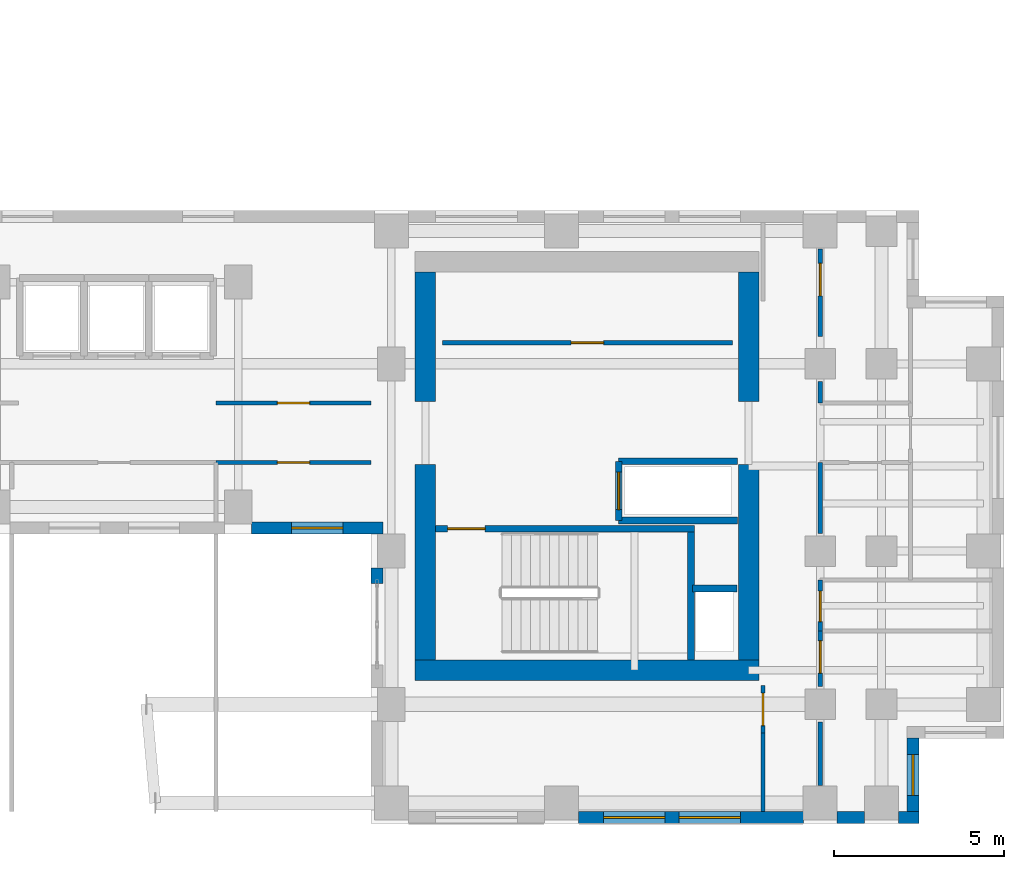
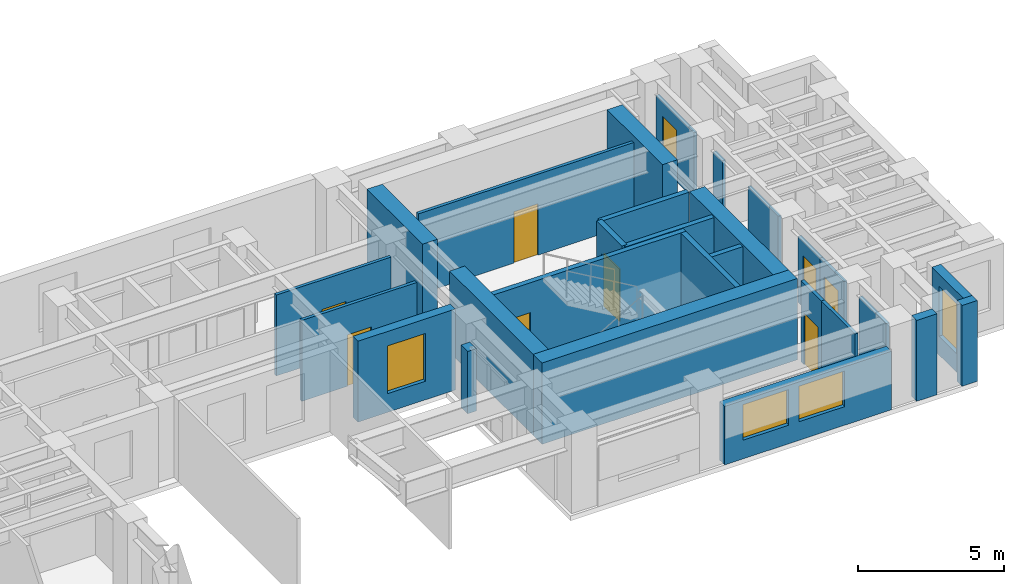
# One storey, part 9 of 13: 28 walls, 9 doors, 4 windows, 13 openings.
"""IFC4 building model written with IfcOpenShell, lengths in metres."""

from ifc_helpers import new_model, si_unit, direction, frame, frame_2d, origin, place, context, subcontext, project, spatial, rectangle, extrude, source, transform, mapped, material, layer, layer_set, type_object, element, fill, save


model = new_model("IFC4")

# Units and contexts
model_context = context("Model", 3, precision=1e-05, world=origin(), true_north=direction((0.0, 1.0)))
body_context = subcontext(model_context, "Body", "Model", "MODEL_VIEW")
ifc_project = project(units=[si_unit("LENGTHUNIT", "METRE"), si_unit("AREAUNIT", "SQUARE_METRE"), si_unit("VOLUMEUNIT", "CUBIC_METRE"), si_unit("PLANEANGLEUNIT", "RADIAN"), si_unit("MASSUNIT", "GRAM", prefix="KILO")], contexts=[model_context])

# Site, building, storey
site_placement = place(None, origin())
site = spatial("IfcSite", under=ifc_project, at=site_placement, CompositionType="ELEMENT")
building_placement = place(site_placement, origin())
building = spatial("IfcBuilding", under=site, at=building_placement, Name="Kharzan Plaza Tower", CompositionType="ELEMENT")
storey_placement = place(building_placement, frame((0.0, 0.0, 189.89990234375)))
storey = spatial("IfcBuildingStorey", under=building, at=storey_placement, Name="L51", CompositionType="ELEMENT", Elevation=189.89990234375)

# Wall, opening, window
ifc_material_1 = material(Name="Concrete C40/50", Category="concrete")
ifc_layer_1 = layer(ifc_material_1, 0.35009765625)
ifc_layer_set_1 = layer_set([ifc_layer_1], Name="Concrete C40/50")
wall_type_1 = type_object("IfcWallType", Name="WL-EXT-MAS-Z3", PredefinedType="SOLIDWALL", material=ifc_layer_set_1)
wall_1_placement = place(storey_placement, frame((30.89794921875, 8.675048828125, 0.0), z_axis=(0.0, 0.0, 1.0), x_axis=(1.0, 0.0, 0.0)))
wall_1 = element("IfcWall", 1, at=wall_1_placement, inside=storey, type_object=wall_type_1, Name="L51 Masonry-Frame Exterior Wall 28", PredefinedType="SOLIDWALL", context=body_context, shape_type="SweptSolid", body=[
    extrude(rectangle(XDim=3.85205078125, YDim=0.35009765625, at=frame_2d((1.926025390625, 0.0))), origin(), (0.0, 0.0, 1.0), 3.385009765625),
])
opening_1_placement = place(wall_1_placement, frame((1.176025390625, 0.0, 0.780029296875)))
opening_1 = element("IfcOpeningElement", 2, at=opening_1_placement, cuts=wall_1, Name="Opening W5", PredefinedType="OPENING", context=body_context, shape_type="SweptSolid", body=[
    extrude(rectangle(XDim=1.5, YDim=2.0, at=frame_2d((0.75, 1.0))), frame((0.0, 0.18505859375, 0.0), z_axis=(0.0, -1.0, 0.0), x_axis=(1.0, 0.0, 0.0)), (0.0, 0.0, 1.0), 0.3701171875),
])
ifc_material_2 = material(Name="Low-E Double Glazing", Category="glass")
window_type_1 = type_object("IfcWindowType", Name="WN-SLT-1500x2000", PartitioningType="SINGLE_PANEL", PredefinedType="WINDOW", material=ifc_material_2)
shared_shape_1 = source(origin(), body_context, "Body", "SweptSolid", [
    extrude(rectangle(XDim=1.5, YDim=2.0, at=frame_2d((0.75, 1.0))), frame((0.0, 0.030029296875, 0.0), z_axis=(0.0, -1.0, 0.0), x_axis=(1.0, 0.0, 0.0)), (0.0, 0.0, 1.0), 0.06005859375),
])
window_1_placement = place(opening_1_placement, origin())
window_1 = element("IfcWindow", 3, at=window_1_placement, inside=storey, type_object=window_type_1, Name="L51 Recessed Solar-Control Window 28-1", OverallHeight=2.0, OverallWidth=1.5, PartitioningType="SINGLE_PANEL", PredefinedType="WINDOW", context=body_context, shape_type="MappedRepresentation", body=[
    mapped(shared_shape_1, transform((0.0, 0.0, 0.0), x_axis=(1.0, 0.0, 0.0), y_axis=(0.0, 1.0, 0.0), z_axis=(0.0, 0.0, 1.0))),
])
fill(opening_1, window_1)

# Wall, openings, windows
wall_2_placement = place(storey_placement, frame((40.498046875, 0.175048828125, 0.0), z_axis=(0.0, 0.0, 1.0), x_axis=(1.0, 0.0, 0.0)))
wall_2 = element("IfcWall", 4, at=wall_2_placement, inside=storey, type_object=wall_type_1, Name="L51 Masonry-Frame Exterior Wall 33", PredefinedType="SOLIDWALL", context=body_context, shape_type="SweptSolid", body=[
    extrude(rectangle(XDim=6.60400390625, YDim=0.35009765625, at=frame_2d((3.302001953125, 0.0))), origin(), (0.0, 0.0, 1.0), 2.447998046875),
])
opening_2_placement = place(wall_2_placement, frame((0.7373046875, 0.0, 0.780029296875)))
opening_2 = element("IfcOpeningElement", 5, at=opening_2_placement, cuts=wall_2, Name="Opening W1", PredefinedType="OPENING", context=body_context, shape_type="SweptSolid", body=[
    extrude(rectangle(XDim=1.800048828125, YDim=1.488037109375, at=frame_2d((0.89990234375, 0.744140625))), frame((0.0, 0.18505859375, 0.0), z_axis=(0.0, -1.0, 0.0), x_axis=(1.0, 0.0, 0.0)), (0.0, 0.0, 1.0), 0.3701171875),
])
opening_3_placement = place(wall_2_placement, frame((2.95458984375, 0.0, 0.780029296875)))
opening_3 = element("IfcOpeningElement", 6, at=opening_3_placement, cuts=wall_2, Name="Opening W1", PredefinedType="OPENING", context=body_context, shape_type="SweptSolid", body=[
    extrude(rectangle(XDim=1.800048828125, YDim=1.488037109375, at=frame_2d((0.89990234375, 0.744140625))), frame((0.0, 0.18505859375, 0.0), z_axis=(0.0, -1.0, 0.0), x_axis=(1.0, 0.0, 0.0)), (0.0, 0.0, 1.0), 0.3701171875),
])
window_type_2 = type_object("IfcWindowType", Name="WN-REC-1800x2100", PartitioningType="SINGLE_PANEL", PredefinedType="WINDOW", material=ifc_material_2)
shared_shape_2 = source(origin(), body_context, "Body", "SweptSolid", [
    extrude(rectangle(XDim=1.800048828125, YDim=1.488037109375, at=frame_2d((0.89990234375, 0.744140625))), frame((0.0, 0.030029296875, 0.0), z_axis=(0.0, -1.0, 0.0), x_axis=(1.0, 0.0, 0.0)), (0.0, 0.0, 1.0), 0.06005859375),
])
window_2_placement = place(opening_2_placement, origin())
window_2 = element("IfcWindow", 7, at=window_2_placement, inside=storey, type_object=window_type_2, Name="L51 Recessed Solar-Control Window 33-1", OverallHeight=1.488037109375, OverallWidth=1.800048828125, PartitioningType="SINGLE_PANEL", PredefinedType="WINDOW", context=body_context, shape_type="MappedRepresentation", body=[
    mapped(shared_shape_2, transform((0.0, 0.0, 0.0), x_axis=(1.0, 0.0, 0.0), y_axis=(0.0, 1.0, 0.0), z_axis=(0.0, 0.0, 1.0))),
])
fill(opening_2, window_2)
window_3_placement = place(opening_3_placement, origin())
window_3 = element("IfcWindow", 8, at=window_3_placement, inside=storey, type_object=window_type_2, Name="L51 Recessed Solar-Control Window 33-2", OverallHeight=1.488037109375, OverallWidth=1.800048828125, PartitioningType="SINGLE_PANEL", PredefinedType="WINDOW", context=body_context, shape_type="MappedRepresentation", body=[
    mapped(shared_shape_2, transform((0.0, 0.0, 0.0), x_axis=(1.0, 0.0, 0.0), y_axis=(0.0, 1.0, 0.0), z_axis=(0.0, 0.0, 1.0))),
])
fill(opening_3, window_3)

# Wall, opening, window
wall_3_placement = place(storey_placement, frame((50.324951171875, 0.347900390625, 0.0), z_axis=(0.0, 0.0, 1.0), x_axis=(0.0, 1.0, 0.0)))
wall_3 = element("IfcWall", 9, at=wall_3_placement, inside=storey, type_object=wall_type_1, Name="L51 Masonry-Frame Exterior Wall 36", PredefinedType="SOLIDWALL", context=body_context, shape_type="SweptSolid", body=[
    extrude(rectangle(XDim=2.154052734375, YDim=0.35009765625, at=frame_2d((1.0771484375, 0.0))), origin(), (0.0, 0.0, 1.0), 3.385009765625),
])
opening_4_placement = place(wall_3_placement, frame((0.47705078125, 0.0, 0.780029296875)))
opening_4 = element("IfcOpeningElement", 10, at=opening_4_placement, cuts=wall_3, Name="Opening W3", PredefinedType="OPENING", context=body_context, shape_type="SweptSolid", body=[
    extrude(rectangle(XDim=1.199951171875, YDim=2.10009765625, at=frame_2d((0.60009765625, 1.050048828125))), frame((0.0, 0.18505859375, 0.0), z_axis=(0.0, -1.0, 0.0), x_axis=(1.0, 0.0, 0.0)), (0.0, 0.0, 1.0), 0.3701171875),
])
window_type_3 = type_object("IfcWindowType", Name="WN-REC-1200x2100", PartitioningType="SINGLE_PANEL", PredefinedType="WINDOW", material=ifc_material_2)
shared_shape_3 = source(origin(), body_context, "Body", "SweptSolid", [
    extrude(rectangle(XDim=1.199951171875, YDim=2.10009765625, at=frame_2d((0.60009765625, 1.050048828125))), frame((0.0, 0.030029296875, 0.0), z_axis=(0.0, -1.0, 0.0), x_axis=(1.0, 0.0, 0.0)), (0.0, 0.0, 1.0), 0.06005859375),
])
window_4_placement = place(opening_4_placement, origin())
window_4 = element("IfcWindow", 11, at=window_4_placement, inside=storey, type_object=window_type_3, Name="L51 Recessed Solar-Control Window 36-1", OverallHeight=2.10009765625, OverallWidth=1.199951171875, PartitioningType="SINGLE_PANEL", PredefinedType="WINDOW", context=body_context, shape_type="MappedRepresentation", body=[
    mapped(shared_shape_3, transform((0.0, 0.0, 0.0), x_axis=(1.0, 0.0, 0.0), y_axis=(0.0, 1.0, 0.0), z_axis=(0.0, 0.0, 1.0))),
])
fill(opening_4, window_4)

# Wall, opening, door
ifc_material_3 = material(Name="Fire-Rated Gypsum Board Partition", Category="gypsum")
ifc_layer_2 = layer(ifc_material_3, 0.125)
ifc_layer_set_2 = layer_set([ifc_layer_2], Name="Fire-Rated Gypsum Board Partition")
wall_type_2 = type_object("IfcWallType", Name="WL-INT-PART-125", PredefinedType="PARTITIONING", material=ifc_layer_set_2)
wall_4_placement = place(storey_placement, frame((36.5, 14.1201171875, 0.0), z_axis=(0.0, 0.0, 1.0), x_axis=(1.0, 0.0, 0.0)))
wall_4 = element("IfcWall", 12, at=wall_4_placement, inside=storey, type_object=wall_type_2, Name="L51 Interior Partition CB-RBLS1", PredefinedType="PARTITIONING", context=body_context, shape_type="SweptSolid", body=[
    extrude(rectangle(XDim=8.52001953125, YDim=0.125, at=frame_2d((4.260009765625, 0.0))), origin(), (0.0, 0.0, 1.0), 3.385009765625),
])
opening_5_placement = place(wall_4_placement, frame((3.784912109375, 0.0, 0.0)))
opening_5 = element("IfcOpeningElement", 13, at=opening_5_placement, cuts=wall_4, Name="Opening OD1", PredefinedType="OPENING", context=body_context, shape_type="SweptSolid", body=[
    extrude(rectangle(XDim=0.949951171875, YDim=2.14990234375, at=frame_2d((0.47509765625, 1.074951171875))), frame((0.0, 0.072509765625, 0.0), z_axis=(0.0, -1.0, 0.0), x_axis=(1.0, 0.0, 0.0)), (0.0, 0.0, 1.0), 0.14501953125),
])
ifc_material_4 = material(Name="Acoustic Solid-Core Stained Oak", Category="timber")
door_type_1 = type_object("IfcDoorType", Name="DR-OFF-SINGLE", OperationType="NOTDEFINED", PredefinedType="DOOR", material=ifc_material_4)
shared_shape_4 = source(origin(), body_context, "Body", "SweptSolid", [
    extrude(rectangle(XDim=0.949951171875, YDim=2.14990234375, at=frame_2d((0.47509765625, 1.074951171875))), frame((0.0, 0.02490234375, 0.0), z_axis=(0.0, -1.0, 0.0), x_axis=(1.0, 0.0, 0.0)), (0.0, 0.0, 1.0), 0.050048828125),
])
door_1_placement = place(opening_5_placement, origin())
door_1 = element("IfcDoor", 14, at=door_1_placement, inside=storey, type_object=door_type_1, Name="L51 Mail Room Door", OperationType="SINGLE_SWING_RIGHT", OverallHeight=2.14990234375, OverallWidth=0.949951171875, PredefinedType="DOOR", context=body_context, shape_type="MappedRepresentation", body=[
    mapped(shared_shape_4, transform((0.0, 0.0, 0.0), x_axis=(1.0, 0.0, 0.0), y_axis=(0.0, 1.0, 0.0), z_axis=(0.0, 0.0, 1.0))),
])
fill(opening_5, door_1)

wall_5_placement = place(storey_placement, frame((47.60009765625, 4.02001953125, 0.0), z_axis=(0.0, 0.0, 1.0), x_axis=(0.0, 1.0, 0.0)))
wall_5 = element("IfcWall", 15, at=wall_5_placement, inside=storey, type_object=wall_type_2, Name="L51 Interior Partition SH-B2W0", PredefinedType="PARTITIONING", context=body_context, shape_type="SweptSolid", body=[
    extrude(rectangle(XDim=1.6298828125, YDim=0.125, at=frame_2d((0.81494140625, 0.0))), origin(), (0.0, 0.0, 1.0), 2.773193359375),
])
opening_6_placement = place(wall_5_placement, frame((0.393310546875, 0.0, 0.0)))
opening_6 = element("IfcOpeningElement", 16, at=opening_6_placement, cuts=wall_5, Name="Opening OD1", PredefinedType="OPENING", context=body_context, shape_type="SweptSolid", body=[
    extrude(rectangle(XDim=0.949951171875, YDim=2.14990234375, at=frame_2d((0.47509765625, 1.074951171875))), frame((0.0, 0.072509765625, 0.0), z_axis=(0.0, -1.0, 0.0), x_axis=(1.0, 0.0, 0.0)), (0.0, 0.0, 1.0), 0.14501953125),
])
door_2_placement = place(opening_6_placement, origin())
door_2 = element("IfcDoor", 17, at=door_2_placement, inside=storey, type_object=door_type_1, Name="L51 Wing B South Office Door", OperationType="SINGLE_SWING_RIGHT", OverallHeight=2.14990234375, OverallWidth=0.949951171875, PredefinedType="DOOR", context=body_context, shape_type="MappedRepresentation", body=[
    mapped(shared_shape_4, transform((0.0, 0.0, 0.0), x_axis=(1.0, 0.0, 0.0), y_axis=(0.0, 1.0, 0.0), z_axis=(0.0, 0.0, 1.0))),
])
fill(opening_6, door_2)

wall_6_placement = place(storey_placement, frame((47.60009765625, 14.300048828125, 0.0), z_axis=(0.0, 0.0, 1.0), x_axis=(0.0, 1.0, 0.0)))
wall_6 = element("IfcWall", 18, at=wall_6_placement, inside=storey, type_object=wall_type_2, Name="L51 Interior Partition SH-B2W3D", PredefinedType="PARTITIONING", context=body_context, shape_type="SweptSolid", body=[
    extrude(rectangle(XDim=2.579833984375, YDim=0.125, at=frame_2d((1.2900390625, 0.0))), origin(), (0.0, 0.0, 1.0), 2.773193359375),
])
opening_7_placement = place(wall_6_placement, frame((1.199951171875, 0.0, 0.0)))
opening_7 = element("IfcOpeningElement", 19, at=opening_7_placement, cuts=wall_6, Name="Opening OD1", PredefinedType="OPENING", context=body_context, shape_type="SweptSolid", body=[
    extrude(rectangle(XDim=0.949951171875, YDim=2.14990234375, at=frame_2d((0.47509765625, 1.074951171875))), frame((0.0, 0.072509765625, 0.0), z_axis=(0.0, -1.0, 0.0), x_axis=(1.0, 0.0, 0.0)), (0.0, 0.0, 1.0), 0.14501953125),
])
door_3_placement = place(opening_7_placement, origin())
door_3 = element("IfcDoor", 20, at=door_3_placement, inside=storey, type_object=door_type_1, Name="L51 Spur North Office Door", OperationType="SINGLE_SWING_LEFT", OverallHeight=2.14990234375, OverallWidth=0.949951171875, PredefinedType="DOOR", context=body_context, shape_type="MappedRepresentation", body=[
    mapped(shared_shape_4, transform((0.0, 0.0, 0.0), x_axis=(1.0, 0.0, 0.0), y_axis=(0.0, 1.0, 0.0), z_axis=(0.0, 0.0, 1.0))),
])
fill(opening_7, door_3)

wall_7_placement = place(storey_placement, frame((47.60009765625, 5.64990234375, 0.0), z_axis=(0.0, 0.0, 1.0), x_axis=(0.0, 1.0, 0.0)))
wall_7 = element("IfcWall", 21, at=wall_7_placement, inside=storey, type_object=wall_type_2, Name="L51 Interior Partition SH-B2WC", PredefinedType="PARTITIONING", context=body_context, shape_type="SweptSolid", body=[
    extrude(rectangle(XDim=1.5, YDim=0.125, at=frame_2d((0.75, 0.0))), origin(), (0.0, 0.0, 1.0), 2.773193359375),
])
opening_8_placement = place(wall_7_placement, frame((0.27490234375, 0.0, 0.0)))
opening_8 = element("IfcOpeningElement", 22, at=opening_8_placement, cuts=wall_7, Name="Opening WD1", PredefinedType="OPENING", context=body_context, shape_type="SweptSolid", body=[
    extrude(rectangle(XDim=0.89990234375, YDim=2.14990234375, at=frame_2d((0.449951171875, 1.074951171875))), frame((0.0, 0.072509765625, 0.0), z_axis=(0.0, -1.0, 0.0), x_axis=(1.0, 0.0, 0.0)), (0.0, 0.0, 1.0), 0.14501953125),
])
ifc_material_5 = material(Name="Moisture-Resistant Fire-Rated Laminate", Category="timber")
door_type_2 = type_object("IfcDoorType", Name="DR-WC-900", OperationType="NOTDEFINED", PredefinedType="DOOR", material=ifc_material_5)
shared_shape_5 = source(origin(), body_context, "Body", "SweptSolid", [
    extrude(rectangle(XDim=0.89990234375, YDim=2.14990234375, at=frame_2d((0.449951171875, 1.074951171875))), frame((0.0, 0.02490234375, 0.0), z_axis=(0.0, -1.0, 0.0), x_axis=(1.0, 0.0, 0.0)), (0.0, 0.0, 1.0), 0.050048828125),
])
door_4_placement = place(opening_8_placement, origin())
door_4 = element("IfcDoor", 23, at=door_4_placement, inside=storey, type_object=door_type_2, Name="L51 Wing B Washroom Door", OperationType="SINGLE_SWING_LEFT", OverallHeight=2.14990234375, OverallWidth=0.89990234375, PredefinedType="DOOR", context=body_context, shape_type="MappedRepresentation", body=[
    mapped(shared_shape_5, transform((0.0, 0.0, 0.0), x_axis=(1.0, 0.0, 0.0), y_axis=(0.0, 1.0, 0.0), z_axis=(0.0, 0.0, 1.0))),
])
fill(opening_8, door_4)

wall_8_placement = place(storey_placement, frame((45.919921875, 2.64990234375, 0.0), z_axis=(0.0, 0.0, 1.0), x_axis=(0.0, 1.0, 0.0)))
wall_8 = element("IfcWall", 24, at=wall_8_placement, inside=storey, type_object=wall_type_2, Name="L51 Interior Partition SH-RBSE", PredefinedType="PARTITIONING", context=body_context, shape_type="SweptSolid", body=[
    extrude(rectangle(XDim=1.400146484375, YDim=0.125, at=frame_2d((0.7001953125, 0.0))), origin(), (0.0, 0.0, 1.0), 3.385009765625),
])
opening_9_placement = place(wall_8_placement, frame((0.22509765625, 0.0, 0.0)))
opening_9 = element("IfcOpeningElement", 25, at=opening_9_placement, cuts=wall_8, Name="Opening OD1", PredefinedType="OPENING", context=body_context, shape_type="SweptSolid", body=[
    extrude(rectangle(XDim=0.949951171875, YDim=2.14990234375, at=frame_2d((0.47509765625, 1.074951171875))), frame((0.0, 0.072509765625, 0.0), z_axis=(0.0, -1.0, 0.0), x_axis=(1.0, 0.0, 0.0)), (0.0, 0.0, 1.0), 0.14501953125),
])
door_5_placement = place(opening_9_placement, origin())
door_5 = element("IfcDoor", 26, at=door_5_placement, inside=storey, type_object=door_type_1, Name="L51 South-East Corner Office Door", OperationType="SINGLE_SWING_RIGHT", OverallHeight=2.14990234375, OverallWidth=0.949951171875, PredefinedType="DOOR", context=body_context, shape_type="MappedRepresentation", body=[
    mapped(shared_shape_4, transform((0.0, 0.0, 0.0), x_axis=(1.0, 0.0, 0.0), y_axis=(0.0, 1.0, 0.0), z_axis=(0.0, 0.0, 1.0))),
])
fill(opening_9, door_5)

wall_9_placement = place(storey_placement, frame((29.85009765625, 12.35009765625, 0.0), z_axis=(0.0, 0.0, 1.0), x_axis=(1.0, 0.0, 0.0)))
wall_9 = element("IfcWall", 27, at=wall_9_placement, inside=storey, type_object=wall_type_2, Name="L51 Interior Partition SH-SPNE1", PredefinedType="PARTITIONING", context=body_context, shape_type="SweptSolid", body=[
    extrude(rectangle(XDim=4.5498046875, YDim=0.125, at=frame_2d((2.27490234375, 0.0))), origin(), (0.0, 0.0, 1.0), 3.385009765625),
])
opening_10_placement = place(wall_9_placement, frame((1.800048828125, 0.0, 0.0)))
opening_10 = element("IfcOpeningElement", 28, at=opening_10_placement, cuts=wall_9, Name="Opening OD1", PredefinedType="OPENING", context=body_context, shape_type="SweptSolid", body=[
    extrude(rectangle(XDim=0.949951171875, YDim=2.14990234375, at=frame_2d((0.47509765625, 1.074951171875))), frame((0.0, 0.072509765625, 0.0), z_axis=(0.0, -1.0, 0.0), x_axis=(1.0, 0.0, 0.0)), (0.0, 0.0, 1.0), 0.14501953125),
])
door_6_placement = place(opening_10_placement, origin())
door_6 = element("IfcDoor", 29, at=door_6_placement, inside=storey, type_object=door_type_1, Name="L51 North-East Spine Door", OperationType="SINGLE_SWING_LEFT", OverallHeight=2.14990234375, OverallWidth=0.949951171875, PredefinedType="DOOR", context=body_context, shape_type="MappedRepresentation", body=[
    mapped(shared_shape_4, transform((0.0, 0.0, 0.0), x_axis=(1.0, 0.0, 0.0), y_axis=(0.0, 1.0, 0.0), z_axis=(0.0, 0.0, 1.0))),
])
fill(opening_10, door_6)

wall_10_placement = place(storey_placement, frame((29.85009765625, 10.60009765625, 0.0), z_axis=(0.0, 0.0, 1.0), x_axis=(1.0, 0.0, 0.0)))
wall_10 = element("IfcWall", 30, at=wall_10_placement, inside=storey, type_object=wall_type_2, Name="L51 Interior Partition SH-SPS3", PredefinedType="PARTITIONING", context=body_context, shape_type="SweptSolid", body=[
    extrude(rectangle(XDim=4.5498046875, YDim=0.125, at=frame_2d((2.27490234375, 0.0))), origin(), (0.0, 0.0, 1.0), 3.385009765625),
])
opening_11_placement = place(wall_10_placement, frame((1.800048828125, 0.0, 0.0)))
opening_11 = element("IfcOpeningElement", 31, at=opening_11_placement, cuts=wall_10, Name="Opening OD1", PredefinedType="OPENING", context=body_context, shape_type="SweptSolid", body=[
    extrude(rectangle(XDim=0.949951171875, YDim=2.14990234375, at=frame_2d((0.47509765625, 1.074951171875))), frame((0.0, 0.072509765625, 0.0), z_axis=(0.0, -1.0, 0.0), x_axis=(1.0, 0.0, 0.0)), (0.0, 0.0, 1.0), 0.14501953125),
])
door_7_placement = place(opening_11_placement, origin())
door_7 = element("IfcDoor", 32, at=door_7_placement, inside=storey, type_object=door_type_1, Name="L51 Spine Studio 3 Door", OperationType="SINGLE_SWING_LEFT", OverallHeight=2.14990234375, OverallWidth=0.949951171875, PredefinedType="DOOR", context=body_context, shape_type="MappedRepresentation", body=[
    mapped(shared_shape_4, transform((0.0, 0.0, 0.0), x_axis=(1.0, 0.0, 0.0), y_axis=(0.0, 1.0, 0.0), z_axis=(0.0, 0.0, 1.0))),
])
fill(opening_11, door_7)

ifc_layer_3 = layer(ifc_material_1, 0.199951171875)
ifc_layer_set_3 = layer_set([ifc_layer_3], Name="Concrete C40/50")
wall_type_3 = type_object("IfcWallType", Name="WL-INT-SHAFT-200", PredefinedType="PARTITIONING", material=ifc_layer_set_3)
wall_11_placement = place(storey_placement, frame((41.679931640625, 8.89990234375, 0.0), z_axis=(0.0, 0.0, 1.0), x_axis=(0.0, 1.0, 0.0)))
wall_11 = element("IfcWall", 33, at=wall_11_placement, inside=storey, type_object=wall_type_3, Name="L51 Interior Partition SHF-SVL-2-W", PredefinedType="PARTITIONING", context=body_context, shape_type="SweptSolid", body=[
    extrude(rectangle(XDim=1.739990234375, YDim=0.199951171875, at=frame_2d((0.8701171875, 0.0))), origin(), (0.0, 0.0, 1.0), 3.385009765625),
])
opening_12_placement = place(wall_11_placement, frame((0.320068359375, 0.0, 0.0)))
opening_12 = element("IfcOpeningElement", 34, at=opening_12_placement, cuts=wall_11, Name="Opening LD", PredefinedType="OPENING", context=body_context, shape_type="SweptSolid", body=[
    extrude(rectangle(XDim=1.10009765625, YDim=2.199951171875, at=frame_2d((0.550048828125, 1.10009765625))), frame((0.0, 0.10986328125, 0.0), z_axis=(0.0, -1.0, 0.0), x_axis=(1.0, 0.0, 0.0)), (0.0, 0.0, 1.0), 0.219970703125),
])
ifc_material_6 = material(Name="Brushed Stainless Steel", Category="steel")
door_type_3 = type_object("IfcDoorType", Name="DR-LIFT-SLIDE", OperationType="SLIDING_TO_LEFT", PredefinedType="DOOR", material=ifc_material_6)
shared_shape_6 = source(origin(), body_context, "Body", "SweptSolid", [
    extrude(rectangle(XDim=1.10009765625, YDim=2.199951171875, at=frame_2d((0.550048828125, 1.10009765625))), frame((0.0, 0.02490234375, 0.0), z_axis=(0.0, -1.0, 0.0), x_axis=(1.0, 0.0, 0.0)), (0.0, 0.0, 1.0), 0.050048828125),
])
door_8_placement = place(opening_12_placement, origin())
door_8 = element("IfcDoor", 35, at=door_8_placement, inside=storey, type_object=door_type_3, Name="L51 Service Lift SVL-2 Sliding Landing Door", OperationType="SLIDING_TO_LEFT", OverallHeight=2.199951171875, OverallWidth=1.10009765625, PredefinedType="DOOR", context=body_context, shape_type="MappedRepresentation", body=[
    mapped(shared_shape_6, transform((0.0, 0.0, 0.0), x_axis=(1.0, 0.0, 0.0), y_axis=(0.0, 1.0, 0.0), z_axis=(0.0, 0.0, 1.0))),
])
fill(opening_12, door_8)

ifc_material_7 = material(Name="Concrete C50/60", Category="concrete")
ifc_layer_4 = layer(ifc_material_7, 0.199951171875)
ifc_layer_set_4 = layer_set([ifc_layer_4], Name="Concrete C50/60")
wall_type_4 = type_object("IfcWallType", Name="WL-SHAFT-RC200", PredefinedType="SHEAR", material=ifc_layer_set_4)
wall_12_placement = place(storey_placement, frame((36.302001953125, 8.655029296875, 0.0), z_axis=(0.0, 0.0, 1.0), x_axis=(1.0, 0.0, 0.0)))
wall_12 = element("IfcWall", 36, at=wall_12_placement, inside=storey, type_object=wall_type_4, Name="L51 Stair ST-3 North RC Shaft Wall", PredefinedType="SHEAR", context=body_context, shape_type="SweptSolid", body=[
    extrude(rectangle(XDim=7.60302734375, YDim=0.199951171875, at=frame_2d((3.801513671875, 0.0))), origin(), (0.0, 0.0, 1.0), 3.400146484375),
])
opening_13_placement = place(wall_12_placement, frame((0.35009765625, 0.0, 0.0)))
opening_13 = element("IfcOpeningElement", 37, at=opening_13_placement, cuts=wall_12, Name="Opening SD1", PredefinedType="OPENING", context=body_context, shape_type="SweptSolid", body=[
    extrude(rectangle(XDim=1.10009765625, YDim=2.14990234375, at=frame_2d((0.550048828125, 1.074951171875))), frame((0.0, 0.10986328125, 0.0), z_axis=(0.0, -1.0, 0.0), x_axis=(1.0, 0.0, 0.0)), (0.0, 0.0, 1.0), 0.219970703125),
])
ifc_material_8 = material(Name="Fire-Rated Hollow Galvanized Steel", Category="steel")
door_type_4 = type_object("IfcDoorType", Name="DR-STAIR-FD120", OperationType="NOTDEFINED", PredefinedType="DOOR", material=ifc_material_8)
shared_shape_7 = source(origin(), body_context, "Body", "SweptSolid", [
    extrude(rectangle(XDim=1.10009765625, YDim=2.14990234375, at=frame_2d((0.550048828125, 1.074951171875))), frame((0.0, 0.02490234375, 0.0), z_axis=(0.0, -1.0, 0.0), x_axis=(1.0, 0.0, 0.0)), (0.0, 0.0, 1.0), 0.050048828125),
])
door_9_placement = place(opening_13_placement, origin())
door_9 = element("IfcDoor", 38, at=door_9_placement, inside=storey, type_object=door_type_4, Name="L51 Stair ST-3 Fire Exit Door", OperationType="SINGLE_SWING_LEFT", OverallHeight=2.14990234375, OverallWidth=1.10009765625, PredefinedType="DOOR", context=body_context, shape_type="MappedRepresentation", body=[
    mapped(shared_shape_7, transform((0.0, 0.0, 0.0), x_axis=(1.0, 0.0, 0.0), y_axis=(0.0, 1.0, 0.0), z_axis=(0.0, 0.0, 1.0))),
])
fill(opening_13, door_9)

# Walls
shared_shape_8 = source(origin(), body_context, "Body", "SweptSolid", [
    extrude(rectangle(XDim=0.80419921875, YDim=0.35009765625, at=frame_2d((0.402099609375, 0.0))), origin(), (0.0, 0.0, 1.0), 3.385009765625),
])
wall_13_placement = place(storey_placement, frame((48.097900390625, 0.175048828125, 0.0), z_axis=(0.0, 0.0, 1.0), x_axis=(1.0, 0.0, 0.0)))
element("IfcWall", 39, at=wall_13_placement, inside=storey, type_object=wall_type_1, Name="L51 Masonry-Frame Exterior Wall 34", PredefinedType="SOLIDWALL", context=body_context, shape_type="MappedRepresentation", body=[
    mapped(shared_shape_8, transform((0.0, 0.0, 0.0), x_axis=(1.0, 0.0, 0.0), y_axis=(0.0, 1.0, 0.0), z_axis=(0.0, 0.0, 1.0))),
])
shared_shape_9 = source(origin(), body_context, "Body", "SweptSolid", [
    extrude(rectangle(XDim=0.60205078125, YDim=0.35009765625, at=frame_2d((0.301025390625, 0.0))), origin(), (0.0, 0.0, 1.0), 3.385009765625),
])
wall_14_placement = place(storey_placement, frame((49.89794921875, 0.175048828125, 0.0), z_axis=(0.0, 0.0, 1.0), x_axis=(1.0, 0.0, 0.0)))
element("IfcWall", 40, at=wall_14_placement, inside=storey, type_object=wall_type_1, Name="L51 Masonry-Frame Exterior Wall 35", PredefinedType="SOLIDWALL", context=body_context, shape_type="MappedRepresentation", body=[
    mapped(shared_shape_9, transform((0.0, 0.0, 0.0), x_axis=(1.0, 0.0, 0.0), y_axis=(0.0, 1.0, 0.0), z_axis=(0.0, 0.0, 1.0))),
])
shared_shape_10 = source(origin(), body_context, "Body", "SweptSolid", [
    extrude(rectangle(XDim=2.2978515625, YDim=0.125, at=frame_2d((1.14892578125, 0.0))), origin(), (0.0, 0.0, 1.0), 3.385009765625),
])
wall_15_placement = place(storey_placement, frame((45.919921875, 0.35205078125, 0.0), z_axis=(0.0, 0.0, 1.0), x_axis=(0.0, 1.0, 0.0)))
element("IfcWall", 41, at=wall_15_placement, inside=storey, type_object=wall_type_2, Name="L51 Interior Partition SH-RBSE0", PredefinedType="PARTITIONING", context=body_context, shape_type="MappedRepresentation", body=[
    mapped(shared_shape_10, transform((0.0, 0.0, 0.0), x_axis=(1.0, 0.0, 0.0), y_axis=(0.0, 1.0, 0.0), z_axis=(0.0, 0.0, 1.0))),
])
shared_shape_11 = source(origin(), body_context, "Body", "SweptSolid", [
    extrude(rectangle(XDim=1.2998046875, YDim=0.199951171875, at=frame_2d((0.64990234375, 0.0))), origin(), (0.0, 0.0, 1.0), 3.385009765625),
])
wall_16_placement = place(storey_placement, frame((43.85009765625, 6.89990234375, 0.0), z_axis=(0.0, 0.0, 1.0), x_axis=(1.0, 0.0, 0.0)))
element("IfcWall", 42, at=wall_16_placement, inside=storey, type_object=wall_type_3, Name="L51 Interior Partition CB-RSRB-N", PredefinedType="PARTITIONING", context=body_context, shape_type="MappedRepresentation", body=[
    mapped(shared_shape_11, transform((0.0, 0.0, 0.0), x_axis=(1.0, 0.0, 0.0), y_axis=(0.0, 1.0, 0.0), z_axis=(0.0, 0.0, 1.0))),
])
shared_shape_12 = source(origin(), body_context, "Body", "SweptSolid", [
    extrude(rectangle(XDim=3.489990234375, YDim=0.199951171875, at=frame_2d((1.7451171875, 0.0))), origin(), (0.0, 0.0, 1.0), 3.385009765625),
])
for number, where, z_axis, x_axis, name in (
    (43, (41.679931640625, 10.639892578125, 0.0), (0.0, 0.0, 1.0), (1.0, 0.0, 0.0), "L51 Interior Partition SHF-SVL-2-N"),
    (44, (41.679931640625, 8.89990234375, 0.0), (0.0, 0.0, 1.0), (1.0, 0.0, 0.0), "L51 Interior Partition SHF-SVL-2-S"),
):
    element("IfcWall", number, at=place(storey_placement, frame(where, z_axis=z_axis, x_axis=x_axis)), inside=storey, type_object=wall_type_3, Name=name, PredefinedType="PARTITIONING", context=body_context, shape_type="MappedRepresentation", body=[
        mapped(shared_shape_12, transform((0.0, 0.0, 0.0), x_axis=(1.0, 0.0, 0.0), y_axis=(0.0, 1.0, 0.0), z_axis=(0.0, 0.0, 1.0))),
    ])
ifc_layer_5 = layer(ifc_material_7, 0.60009765625)
ifc_layer_set_5 = layer_set([ifc_layer_5], Name="Concrete C50/60")
wall_type_5 = type_object("IfcWallType", Name="WL-CORE-600", PredefinedType="SHEAR", material=ifc_layer_set_5)
shared_shape_13 = source(origin(), body_context, "Body", "SweptSolid", [
    extrude(rectangle(XDim=5.75, YDim=0.60009765625, at=frame_2d((2.875, 0.0))), origin(), (0.0, 0.0, 1.0), 3.400146484375),
])
for number, where, z_axis, x_axis, name in (
    (45, (45.5, 4.800048828125, 0.0), (0.0, 0.0, 1.0), (0.0, 1.0, 0.0), "L51 CORE-B east shear pier 1"),
    (46, (36.0, 4.800048828125, 0.0), (0.0, 0.0, 1.0), (0.0, 1.0, 0.0), "L51 CORE-B west shear pier 1"),
):
    element("IfcWall", number, at=place(storey_placement, frame(where, z_axis=z_axis, x_axis=x_axis)), inside=storey, type_object=wall_type_5, Name=name, PredefinedType="SHEAR", context=body_context, shape_type="MappedRepresentation", body=[
        mapped(shared_shape_13, transform((0.0, 0.0, 0.0), x_axis=(1.0, 0.0, 0.0), y_axis=(0.0, 1.0, 0.0), z_axis=(0.0, 0.0, 1.0))),
    ])
shared_shape_14 = source(origin(), body_context, "Body", "SweptSolid", [
    extrude(rectangle(XDim=3.800048828125, YDim=0.60009765625, at=frame_2d((1.89990234375, 0.0))), origin(), (0.0, 0.0, 1.0), 3.400146484375),
])
for number, where, z_axis, x_axis, name in (
    (47, (45.5, 12.39990234375, 0.0), (0.0, 0.0, 1.0), (0.0, 1.0, 0.0), "L51 CORE-B east shear pier 2"),
    (48, (36.0, 12.39990234375, 0.0), (0.0, 0.0, 1.0), (0.0, 1.0, 0.0), "L51 CORE-B west shear pier 2"),
):
    element("IfcWall", number, at=place(storey_placement, frame(where, z_axis=z_axis, x_axis=x_axis)), inside=storey, type_object=wall_type_5, Name=name, PredefinedType="SHEAR", context=body_context, shape_type="MappedRepresentation", body=[
        mapped(shared_shape_14, transform((0.0, 0.0, 0.0), x_axis=(1.0, 0.0, 0.0), y_axis=(0.0, 1.0, 0.0), z_axis=(0.0, 0.0, 1.0))),
    ])
shared_shape_15 = source(origin(), body_context, "Body", "SweptSolid", [
    extrude(rectangle(XDim=10.10009765625, YDim=0.60009765625, at=frame_2d((5.050048828125, 0.0))), origin(), (0.0, 0.0, 1.0), 3.400146484375),
])
wall_17_placement = place(storey_placement, frame((35.699951171875, 4.5, 0.0), z_axis=(0.0, 0.0, 1.0), x_axis=(1.0, 0.0, 0.0)))
element("IfcWall", 49, at=wall_17_placement, inside=storey, type_object=wall_type_5, Name="L51 CORE-B south RC shear wall", PredefinedType="SHEAR", context=body_context, shape_type="MappedRepresentation", body=[
    mapped(shared_shape_15, transform((0.0, 0.0, 0.0), x_axis=(1.0, 0.0, 0.0), y_axis=(0.0, 1.0, 0.0), z_axis=(0.0, 0.0, 1.0))),
])
shared_shape_16 = source(origin(), body_context, "Body", "SweptSolid", [
    extrude(rectangle(XDim=3.7529296875, YDim=0.199951171875, at=frame_2d((1.87646484375, 0.0))), origin(), (0.0, 0.0, 1.0), 3.400146484375),
])
wall_18_placement = place(storey_placement, frame((43.804931640625, 4.802001953125, 0.0), z_axis=(0.0, 0.0, 1.0), x_axis=(0.0, 1.0, 0.0)))
element("IfcWall", 50, at=wall_18_placement, inside=storey, type_object=wall_type_4, Name="L51 Stair ST-3 East RC Shaft Wall", PredefinedType="SHEAR", context=body_context, shape_type="MappedRepresentation", body=[
    mapped(shared_shape_16, transform((0.0, 0.0, 0.0), x_axis=(1.0, 0.0, 0.0), y_axis=(0.0, 1.0, 0.0), z_axis=(0.0, 0.0, 1.0))),
])
shared_shape_17 = source(origin(), body_context, "Body", "SweptSolid", [
    extrude(rectangle(XDim=0.6298828125, YDim=0.125, at=frame_2d((0.31494140625, 0.0))), origin(), (0.0, 0.0, 1.0), 2.773193359375),
])
wall_19_placement = place(storey_placement, frame((47.60009765625, 12.35009765625, 0.0), z_axis=(0.0, 0.0, 1.0), x_axis=(0.0, 1.0, 0.0)))
element("IfcWall", 51, at=wall_19_placement, inside=storey, type_object=wall_type_2, Name="L51 Interior Partition SH-B2W3S", PredefinedType="PARTITIONING", context=body_context, shape_type="MappedRepresentation", body=[
    mapped(shared_shape_17, transform((0.0, 0.0, 0.0), x_axis=(1.0, 0.0, 0.0), y_axis=(0.0, 1.0, 0.0), z_axis=(0.0, 0.0, 1.0))),
])
shared_shape_18 = source(origin(), body_context, "Body", "SweptSolid", [
    extrude(rectangle(XDim=1.85986328125, YDim=0.125, at=frame_2d((0.929931640625, 0.0))), origin(), (0.0, 0.0, 1.0), 2.773193359375),
])
wall_20_placement = place(storey_placement, frame((47.60009765625, 1.1201171875, 0.0), z_axis=(0.0, 0.0, 1.0), x_axis=(0.0, 1.0, 0.0)))
element("IfcWall", 52, at=wall_20_placement, inside=storey, type_object=wall_type_2, Name="L51 Interior Partition SH-B2W0S", PredefinedType="PARTITIONING", context=body_context, shape_type="MappedRepresentation", body=[
    mapped(shared_shape_18, transform((0.0, 0.0, 0.0), x_axis=(1.0, 0.0, 0.0), y_axis=(0.0, 1.0, 0.0), z_axis=(0.0, 0.0, 1.0))),
])
shared_shape_19 = source(origin(), body_context, "Body", "SweptSolid", [
    extrude(rectangle(XDim=2.080078125, YDim=0.125, at=frame_2d((1.0400390625, 0.0))), origin(), (0.0, 0.0, 1.0), 2.773193359375),
])
wall_21_placement = place(storey_placement, frame((47.60009765625, 8.52001953125, 0.0), z_axis=(0.0, 0.0, 1.0), x_axis=(0.0, 1.0, 0.0)))
element("IfcWall", 53, at=wall_21_placement, inside=storey, type_object=wall_type_2, Name="L51 Interior Partition SH-B2W1C", PredefinedType="PARTITIONING", context=body_context, shape_type="MappedRepresentation", body=[
    mapped(shared_shape_19, transform((0.0, 0.0, 0.0), x_axis=(1.0, 0.0, 0.0), y_axis=(0.0, 1.0, 0.0), z_axis=(0.0, 0.0, 1.0))),
])
shared_shape_20 = source(origin(), body_context, "Body", "SweptSolid", [
    extrude(rectangle(XDim=0.451904296875, YDim=0.35009765625, at=frame_2d((0.22607421875, 0.0))), origin(), (0.0, 0.0, 1.0), 2.612060546875),
])
wall_22_placement = place(storey_placement, frame((34.574951171875, 7.501953125, 0.0), z_axis=(0.0, 0.0, 1.0), x_axis=(0.0, -1.0, 0.0)))
element("IfcWall", 54, at=wall_22_placement, inside=storey, type_object=wall_type_1, Name="L51 Masonry-Frame Exterior Wall 29", PredefinedType="SOLIDWALL", context=body_context, shape_type="MappedRepresentation", body=[
    mapped(shared_shape_20, transform((0.0, 0.0, 0.0), x_axis=(1.0, 0.0, 0.0), y_axis=(0.0, 1.0, 0.0), z_axis=(0.0, 0.0, 1.0))),
])

save(model, "model.ifc")
